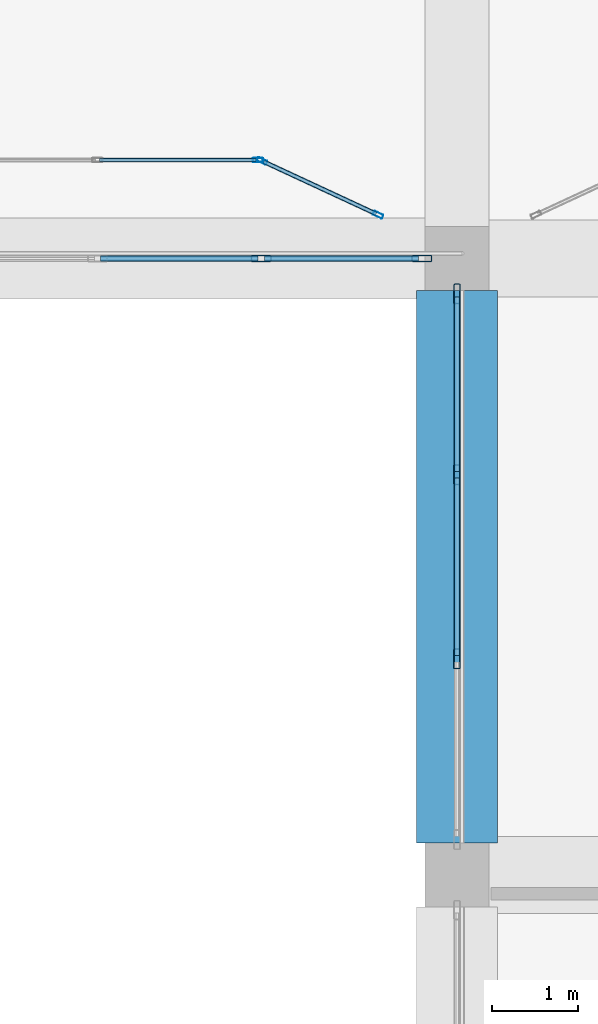
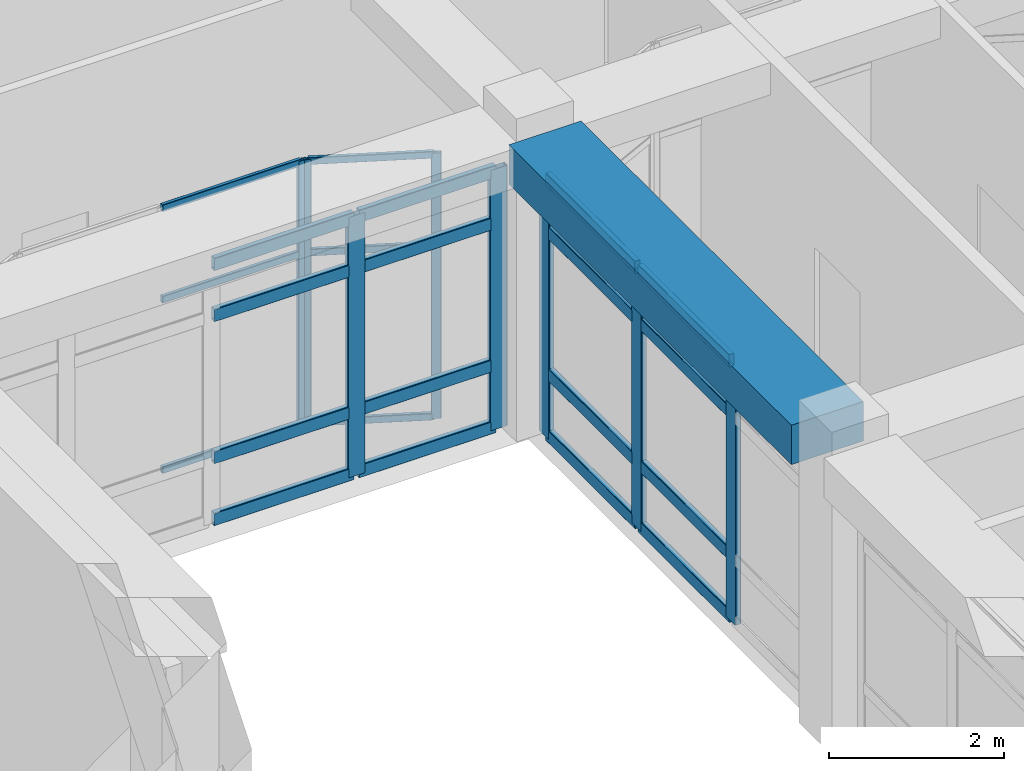
# One storey, part 20 of 121: 30 members, 1 beam, 4 elements without a shape of their own.
"""IFC4 building model written with IfcOpenShell, lengths in metres."""

from ifc_helpers import new_model, si_unit, derived_unit, direction, frame, origin, origin_2d, place, context, subcontext, project, spatial, rectangle, hollow_rectangle, extrude, material, material_profile, profile_set, type_object, element, aggregate, save


model = new_model("IFC4")

# Units and contexts
model_context = context("Model", 3, precision=1e-05, world=origin(), true_north=direction((0.0, 1.0)))
body_context = subcontext(model_context, "Body", "Model", "MODEL_VIEW")
ifc_project = project(units=[si_unit("LENGTHUNIT", "METRE"), si_unit("AREAUNIT", "SQUARE_METRE"), si_unit("VOLUMEUNIT", "CUBIC_METRE"), si_unit("PLANEANGLEUNIT", "RADIAN"), si_unit("MASSUNIT", "GRAM", prefix="KILO"), derived_unit("THERMALTRANSMITTANCEUNIT", [(si_unit("POWERUNIT", "WATT"), 1), (si_unit("LENGTHUNIT", "METRE"), -2), (si_unit("THERMODYNAMICTEMPERATUREUNIT", "KELVIN"), -1)])], contexts=[model_context])

# Site, building, storey
site_placement = place(None, origin())
site = spatial("IfcSite", under=ifc_project, at=site_placement, CompositionType="ELEMENT")
building_placement = place(site_placement, origin())
building = spatial("IfcBuilding", under=site, at=building_placement, Name="Veybourne Emporium", CompositionType="ELEMENT")
storey_placement = place(building_placement, frame((0.0, 0.0, 5.39990234375)))
storey = spatial("IfcBuildingStorey", under=building, at=storey_placement, Name="L01", CompositionType="ELEMENT", Elevation=5.39990234375)

# Curtain wall, members
ifc_material_1 = material(Name="Patinated Architectural Bronze", Category="bronze")
curtain_wall_type_1 = type_object("IfcCurtainWallType", Name="CWSystem_CWS-10", PredefinedType="NOTDEFINED", material=ifc_material_1)
curtain_wall_1_placement = place(storey_placement, origin())
curtain_wall_1 = element("IfcCurtainWall", 1, at=curtain_wall_1_placement, inside=storey, type_object=curtain_wall_type_1, Name="L01 bronze glazed curtain wall CWS-10 (035)", PredefinedType="NOTDEFINED")
ifc_material_profile_1 = material_profile(ifc_material_1, hollow_rectangle(XDim=0.074951171875, YDim=0.22998046875, WallThickness=0.0048828125, InnerFilletRadius=0.007568359375, OuterFilletRadius=0.012451171875, at=origin_2d()), Name="CWM 75x230x5")
ifc_profile_set_1 = profile_set([ifc_material_profile_1], Name="Patinated Architectural Bronze")
member_type_1 = type_object("IfcMemberType", Name="CWMullion_CW-M2", PredefinedType="MULLION", material=ifc_profile_set_1)
member_1_placement = place(storey_placement, frame((66.78759765625, 21.60009765625, 0.0), z_axis=(0.0, 0.0, 1.0), x_axis=(0.0, -1.0, 0.0)))
member_1 = element("IfcMember", 2, at=member_1_placement, type_object=member_type_1, Name="CWS-10 mullion 1", PredefinedType="MULLION", context=body_context, shape_type="SweptSolid", body=[
    extrude(hollow_rectangle(XDim=0.074951171875, YDim=0.22998046875, WallThickness=0.0048828125, InnerFilletRadius=0.007568359375, OuterFilletRadius=0.012451171875, at=origin_2d()), origin(), (0.0, 0.0, 1.0), 3.630126953125),
])
member_2_placement = place(storey_placement, frame((64.91259765625, 21.60009765625, 0.0), z_axis=(0.0, 0.0, 1.0), x_axis=(0.0, -1.0, 0.0)))
member_2 = element("IfcMember", 3, at=member_2_placement, type_object=member_type_1, Name="CWS-10 mullion 2", PredefinedType="MULLION", context=body_context, shape_type="SweptSolid", body=[
    extrude(hollow_rectangle(XDim=0.074951171875, YDim=0.22998046875, WallThickness=0.0048828125, InnerFilletRadius=0.007568359375, OuterFilletRadius=0.012451171875, at=origin_2d()), origin(), (0.0, 0.0, 1.0), 3.630126953125),
])

curtain_wall_type_2 = type_object("IfcCurtainWallType", Name="CWSystem_CWS-14", PredefinedType="NOTDEFINED", material=ifc_material_1)
curtain_wall_2_placement = place(storey_placement, origin())
curtain_wall_2 = element("IfcCurtainWall", 4, at=curtain_wall_2_placement, inside=storey, type_object=curtain_wall_type_2, Name="L01 bronze glazed curtain wall CWS-14 (039)", PredefinedType="NOTDEFINED")
member_3_placement = place(storey_placement, frame((67.199951171875, 16.925048828125, 0.0), z_axis=(0.0, 0.0, 1.0), x_axis=(-1.0, 0.0, 0.0)))
member_3 = element("IfcMember", 5, at=member_3_placement, type_object=member_type_1, Name="CWS-14 mullion 2", PredefinedType="MULLION", context=body_context, shape_type="SweptSolid", body=[
    extrude(hollow_rectangle(XDim=0.074951171875, YDim=0.22998046875, WallThickness=0.0048828125, InnerFilletRadius=0.007568359375, OuterFilletRadius=0.012451171875, at=origin_2d()), origin(), (0.0, 0.0, 1.0), 3.630126953125),
])
member_4_placement = place(storey_placement, frame((67.199951171875, 19.074951171875, 0.0), z_axis=(0.0, 0.0, 1.0), x_axis=(-1.0, 0.0, 0.0)))
member_4 = element("IfcMember", 6, at=member_4_placement, type_object=member_type_1, Name="CWS-14 mullion 3", PredefinedType="MULLION", context=body_context, shape_type="SweptSolid", body=[
    extrude(hollow_rectangle(XDim=0.074951171875, YDim=0.22998046875, WallThickness=0.0048828125, InnerFilletRadius=0.007568359375, OuterFilletRadius=0.012451171875, at=origin_2d()), origin(), (0.0, 0.0, 1.0), 3.630126953125),
])
member_5_placement = place(storey_placement, frame((67.199951171875, 21.1875, 0.0), z_axis=(0.0, 0.0, 1.0), x_axis=(-1.0, 0.0, 0.0)))
member_5 = element("IfcMember", 7, at=member_5_placement, type_object=member_type_1, Name="CWS-14 mullion 4", PredefinedType="MULLION", context=body_context, shape_type="SweptSolid", body=[
    extrude(hollow_rectangle(XDim=0.074951171875, YDim=0.22998046875, WallThickness=0.0048828125, InnerFilletRadius=0.007568359375, OuterFilletRadius=0.012451171875, at=origin_2d()), origin(), (0.0, 0.0, 1.0), 3.630126953125),
])

# Curtain wall, member
curtain_wall_type_3 = type_object("IfcCurtainWallType", Name="CWSystem_CWI-03", PredefinedType="NOTDEFINED", material=ifc_material_1)
curtain_wall_3_placement = place(storey_placement, origin())
curtain_wall_3 = element("IfcCurtainWall", 8, at=curtain_wall_3_placement, inside=storey, type_object=curtain_wall_type_3, Name="Arcade bow-front boutique shopfront L01 bay 7 facet 2", PredefinedType="NOTDEFINED")
ifc_material_profile_2 = material_profile(ifc_material_1, hollow_rectangle(XDim=0.050048828125, YDim=0.1201171875, WallThickness=0.00390625, InnerFilletRadius=0.006103515625, OuterFilletRadius=0.010009765625, at=origin_2d()), Name="CWM 50x120x4")
ifc_profile_set_2 = profile_set([ifc_material_profile_2], Name="Patinated Architectural Bronze")
member_type_2 = type_object("IfcMemberType", Name="CWMullion_CW-M5", PredefinedType="MULLION", material=ifc_profile_set_2)
member_6_placement = place(storey_placement, frame((64.875, 22.75, 0.0), z_axis=(0.0, 0.0, 1.0), x_axis=(0.0, 1.0, 0.0)))
member_6 = element("IfcMember", 9, at=member_6_placement, type_object=member_type_2, Name="CWI-03 mullion 3", PredefinedType="MULLION", context=body_context, shape_type="SweptSolid", body=[
    extrude(hollow_rectangle(XDim=0.050048828125, YDim=0.1201171875, WallThickness=0.00390625, InnerFilletRadius=0.006103515625, OuterFilletRadius=0.010009765625, at=origin_2d()), origin(), (0.0, 0.0, 1.0), 3.7001953125),
])

# Curtain wall, members
curtain_wall_type_4 = type_object("IfcCurtainWallType", Name="CWSystem_CWI-04", PredefinedType="NOTDEFINED", material=ifc_material_1)
curtain_wall_4_placement = place(storey_placement, origin())
curtain_wall_4 = element("IfcCurtainWall", 10, at=curtain_wall_4_placement, inside=storey, type_object=curtain_wall_type_4, Name="Arcade bow-front boutique shopfront L01 bay 7 facet 3", PredefinedType="NOTDEFINED")
member_7_placement = place(storey_placement, frame((64.922607421875, 22.739501953125, 0.0), z_axis=(0.0, 0.0, 1.0), x_axis=(0.421111306453, 0.907008967749, 0.0)))
member_7 = element("IfcMember", 11, at=member_7_placement, type_object=member_type_2, Name="CWI-04 mullion 1", PredefinedType="MULLION", context=body_context, shape_type="SweptSolid", body=[
    extrude(hollow_rectangle(XDim=0.050048828125, YDim=0.1201171875, WallThickness=0.00390625, InnerFilletRadius=0.006103515625, OuterFilletRadius=0.010009765625, at=origin_2d()), origin(), (0.0, 0.0, 1.0), 3.7001953125),
])
member_8_placement = place(storey_placement, frame((66.27734375, 22.110595703125, 0.0), z_axis=(0.0, 0.0, 1.0), x_axis=(0.421111306453, 0.907008967749, 0.0)))
member_8 = element("IfcMember", 12, at=member_8_placement, type_object=member_type_2, Name="CWI-04 mullion 2", PredefinedType="MULLION", context=body_context, shape_type="SweptSolid", body=[
    extrude(hollow_rectangle(XDim=0.050048828125, YDim=0.1201171875, WallThickness=0.00390625, InnerFilletRadius=0.006103515625, OuterFilletRadius=0.010009765625, at=origin_2d()), origin(), (0.0, 0.0, 1.0), 3.7001953125),
])

# Member
ifc_material_profile_3 = material_profile(ifc_material_1, hollow_rectangle(XDim=0.074951171875, YDim=0.179931640625, WallThickness=0.0048828125, InnerFilletRadius=0.007568359375, OuterFilletRadius=0.012451171875, at=origin_2d()), Name="CWT 75x180x5")
ifc_profile_set_3 = profile_set([ifc_material_profile_3], Name="Patinated Architectural Bronze")
member_type_3 = type_object("IfcMemberType", Name="CWTransom_CW-T2", PredefinedType="NOTDEFINED", material=ifc_profile_set_3)
member_9_placement = place(storey_placement, frame((66.75, 21.60009765625, 0.03759765625), z_axis=(-1.0, 0.0, 0.0), x_axis=(0.0, -1.0, 0.0)))
member_9 = element("IfcMember", 13, at=member_9_placement, type_object=member_type_3, Name="CWS-10 transom 1.1", ObjectType="TRANSOM", PredefinedType="USERDEFINED", context=body_context, shape_type="SweptSolid", body=[
    extrude(hollow_rectangle(XDim=0.074951171875, YDim=0.179931640625, WallThickness=0.0048828125, InnerFilletRadius=0.007568359375, OuterFilletRadius=0.012451171875, at=origin_2d()), origin(), (0.0, 0.0, 1.0), 1.800048828125),
])

member_10_placement = place(storey_placement, frame((66.75, 21.60009765625, 0.900146484375), z_axis=(-1.0, 0.0, 0.0), x_axis=(0.0, -1.0, 0.0)))
member_10 = element("IfcMember", 14, at=member_10_placement, type_object=member_type_3, Name="CWS-10 transom 1.2", ObjectType="TRANSOM", PredefinedType="USERDEFINED", context=body_context, shape_type="SweptSolid", body=[
    extrude(hollow_rectangle(XDim=0.074951171875, YDim=0.179931640625, WallThickness=0.0048828125, InnerFilletRadius=0.007568359375, OuterFilletRadius=0.012451171875, at=origin_2d()), origin(), (0.0, 0.0, 1.0), 1.800048828125),
])

member_11_placement = place(storey_placement, frame((66.75, 21.60009765625, 2.880126953125), z_axis=(-1.0, 0.0, 0.0), x_axis=(0.0, -1.0, 0.0)))
member_11 = element("IfcMember", 15, at=member_11_placement, type_object=member_type_3, Name="CWS-10 transom 1.3", ObjectType="TRANSOM", PredefinedType="USERDEFINED", context=body_context, shape_type="SweptSolid", body=[
    extrude(hollow_rectangle(XDim=0.074951171875, YDim=0.179931640625, WallThickness=0.0048828125, InnerFilletRadius=0.007568359375, OuterFilletRadius=0.012451171875, at=origin_2d()), origin(), (0.0, 0.0, 1.0), 1.800048828125),
])

member_12_placement = place(storey_placement, frame((66.75, 21.60009765625, 3.592529296875), z_axis=(-1.0, 0.0, 0.0), x_axis=(0.0, -1.0, 0.0)))
member_12 = element("IfcMember", 16, at=member_12_placement, type_object=member_type_3, Name="CWS-10 transom 1.4", ObjectType="TRANSOM", PredefinedType="USERDEFINED", context=body_context, shape_type="SweptSolid", body=[
    extrude(hollow_rectangle(XDim=0.074951171875, YDim=0.179931640625, WallThickness=0.0048828125, InnerFilletRadius=0.007568359375, OuterFilletRadius=0.012451171875, at=origin_2d()), origin(), (0.0, 0.0, 1.0), 1.800048828125),
])

member_13_placement = place(storey_placement, frame((64.875, 21.60009765625, 0.03759765625), z_axis=(-1.0, 0.0, 0.0), x_axis=(0.0, -1.0, 0.0)))
member_13 = element("IfcMember", 17, at=member_13_placement, type_object=member_type_3, Name="CWS-10 transom 2.1", ObjectType="TRANSOM", PredefinedType="USERDEFINED", context=body_context, shape_type="SweptSolid", body=[
    extrude(hollow_rectangle(XDim=0.074951171875, YDim=0.179931640625, WallThickness=0.0048828125, InnerFilletRadius=0.007568359375, OuterFilletRadius=0.012451171875, at=origin_2d()), origin(), (0.0, 0.0, 1.0), 1.83740234375),
])

member_14_placement = place(storey_placement, frame((64.875, 21.60009765625, 0.900146484375), z_axis=(-1.0, 0.0, 0.0), x_axis=(0.0, -1.0, 0.0)))
member_14 = element("IfcMember", 18, at=member_14_placement, type_object=member_type_3, Name="CWS-10 transom 2.2", ObjectType="TRANSOM", PredefinedType="USERDEFINED", context=body_context, shape_type="SweptSolid", body=[
    extrude(hollow_rectangle(XDim=0.074951171875, YDim=0.179931640625, WallThickness=0.0048828125, InnerFilletRadius=0.007568359375, OuterFilletRadius=0.012451171875, at=origin_2d()), origin(), (0.0, 0.0, 1.0), 1.83740234375),
])

member_15_placement = place(storey_placement, frame((64.875, 21.60009765625, 2.880126953125), z_axis=(-1.0, 0.0, 0.0), x_axis=(0.0, -1.0, 0.0)))
member_15 = element("IfcMember", 19, at=member_15_placement, type_object=member_type_3, Name="CWS-10 transom 2.3", ObjectType="TRANSOM", PredefinedType="USERDEFINED", context=body_context, shape_type="SweptSolid", body=[
    extrude(hollow_rectangle(XDim=0.074951171875, YDim=0.179931640625, WallThickness=0.0048828125, InnerFilletRadius=0.007568359375, OuterFilletRadius=0.012451171875, at=origin_2d()), origin(), (0.0, 0.0, 1.0), 1.83740234375),
])

member_16_placement = place(storey_placement, frame((64.875, 21.60009765625, 3.592529296875), z_axis=(-1.0, 0.0, 0.0), x_axis=(0.0, -1.0, 0.0)))
member_16 = element("IfcMember", 20, at=member_16_placement, type_object=member_type_3, Name="CWS-10 transom 2.4", ObjectType="TRANSOM", PredefinedType="USERDEFINED", context=body_context, shape_type="SweptSolid", body=[
    extrude(hollow_rectangle(XDim=0.074951171875, YDim=0.179931640625, WallThickness=0.0048828125, InnerFilletRadius=0.007568359375, OuterFilletRadius=0.012451171875, at=origin_2d()), origin(), (0.0, 0.0, 1.0), 1.83740234375),
])

aggregate(curtain_wall_1, [member_1, member_2, member_9, member_10, member_11, member_12, member_13, member_14, member_15, member_16])

member_17_placement = place(storey_placement, frame((67.199951171875, 16.96240234375, 0.03759765625), z_axis=(0.0, 1.0, 0.0), x_axis=(-1.0, 0.0, 0.0)))
member_17 = element("IfcMember", 21, at=member_17_placement, type_object=member_type_3, Name="CWS-14 transom 2.1", ObjectType="TRANSOM", PredefinedType="USERDEFINED", context=body_context, shape_type="SweptSolid", body=[
    extrude(hollow_rectangle(XDim=0.074951171875, YDim=0.179931640625, WallThickness=0.0048828125, InnerFilletRadius=0.007568359375, OuterFilletRadius=0.012451171875, at=origin_2d()), origin(), (0.0, 0.0, 1.0), 2.0751953125),
])

member_18_placement = place(storey_placement, frame((67.199951171875, 16.96240234375, 0.900146484375), z_axis=(0.0, 1.0, 0.0), x_axis=(-1.0, 0.0, 0.0)))
member_18 = element("IfcMember", 22, at=member_18_placement, type_object=member_type_3, Name="CWS-14 transom 2.2", ObjectType="TRANSOM", PredefinedType="USERDEFINED", context=body_context, shape_type="SweptSolid", body=[
    extrude(hollow_rectangle(XDim=0.074951171875, YDim=0.179931640625, WallThickness=0.0048828125, InnerFilletRadius=0.007568359375, OuterFilletRadius=0.012451171875, at=origin_2d()), origin(), (0.0, 0.0, 1.0), 2.0751953125),
])

member_19_placement = place(storey_placement, frame((67.199951171875, 16.96240234375, 2.880126953125), z_axis=(0.0, 1.0, 0.0), x_axis=(-1.0, 0.0, 0.0)))
member_19 = element("IfcMember", 23, at=member_19_placement, type_object=member_type_3, Name="CWS-14 transom 2.3", ObjectType="TRANSOM", PredefinedType="USERDEFINED", context=body_context, shape_type="SweptSolid", body=[
    extrude(hollow_rectangle(XDim=0.074951171875, YDim=0.179931640625, WallThickness=0.0048828125, InnerFilletRadius=0.007568359375, OuterFilletRadius=0.012451171875, at=origin_2d()), origin(), (0.0, 0.0, 1.0), 2.0751953125),
])

member_20_placement = place(storey_placement, frame((67.199951171875, 16.96240234375, 3.592529296875), z_axis=(0.0, 1.0, 0.0), x_axis=(-1.0, 0.0, 0.0)))
member_20 = element("IfcMember", 24, at=member_20_placement, type_object=member_type_3, Name="CWS-14 transom 2.4", ObjectType="TRANSOM", PredefinedType="USERDEFINED", context=body_context, shape_type="SweptSolid", body=[
    extrude(hollow_rectangle(XDim=0.074951171875, YDim=0.179931640625, WallThickness=0.0048828125, InnerFilletRadius=0.007568359375, OuterFilletRadius=0.012451171875, at=origin_2d()), origin(), (0.0, 0.0, 1.0), 2.0751953125),
])

member_21_placement = place(storey_placement, frame((67.199951171875, 19.112548828125, 0.03759765625), z_axis=(0.0, 1.0, 0.0), x_axis=(-1.0, 0.0, 0.0)))
member_21 = element("IfcMember", 25, at=member_21_placement, type_object=member_type_3, Name="CWS-14 transom 3.1", ObjectType="TRANSOM", PredefinedType="USERDEFINED", context=body_context, shape_type="SweptSolid", body=[
    extrude(hollow_rectangle(XDim=0.074951171875, YDim=0.179931640625, WallThickness=0.0048828125, InnerFilletRadius=0.007568359375, OuterFilletRadius=0.012451171875, at=origin_2d()), origin(), (0.0, 0.0, 1.0), 2.037353515625),
])

member_22_placement = place(storey_placement, frame((67.199951171875, 19.112548828125, 0.900146484375), z_axis=(0.0, 1.0, 0.0), x_axis=(-1.0, 0.0, 0.0)))
member_22 = element("IfcMember", 26, at=member_22_placement, type_object=member_type_3, Name="CWS-14 transom 3.2", ObjectType="TRANSOM", PredefinedType="USERDEFINED", context=body_context, shape_type="SweptSolid", body=[
    extrude(hollow_rectangle(XDim=0.074951171875, YDim=0.179931640625, WallThickness=0.0048828125, InnerFilletRadius=0.007568359375, OuterFilletRadius=0.012451171875, at=origin_2d()), origin(), (0.0, 0.0, 1.0), 2.037353515625),
])

member_23_placement = place(storey_placement, frame((67.199951171875, 19.112548828125, 2.880126953125), z_axis=(0.0, 1.0, 0.0), x_axis=(-1.0, 0.0, 0.0)))
member_23 = element("IfcMember", 27, at=member_23_placement, type_object=member_type_3, Name="CWS-14 transom 3.3", ObjectType="TRANSOM", PredefinedType="USERDEFINED", context=body_context, shape_type="SweptSolid", body=[
    extrude(hollow_rectangle(XDim=0.074951171875, YDim=0.179931640625, WallThickness=0.0048828125, InnerFilletRadius=0.007568359375, OuterFilletRadius=0.012451171875, at=origin_2d()), origin(), (0.0, 0.0, 1.0), 2.037353515625),
])

member_24_placement = place(storey_placement, frame((67.199951171875, 19.112548828125, 3.592529296875), z_axis=(0.0, 1.0, 0.0), x_axis=(-1.0, 0.0, 0.0)))
member_24 = element("IfcMember", 28, at=member_24_placement, type_object=member_type_3, Name="CWS-14 transom 3.4", ObjectType="TRANSOM", PredefinedType="USERDEFINED", context=body_context, shape_type="SweptSolid", body=[
    extrude(hollow_rectangle(XDim=0.074951171875, YDim=0.179931640625, WallThickness=0.0048828125, InnerFilletRadius=0.007568359375, OuterFilletRadius=0.012451171875, at=origin_2d()), origin(), (0.0, 0.0, 1.0), 2.037353515625),
])

aggregate(curtain_wall_2, [member_3, member_4, member_5, member_17, member_18, member_19, member_20, member_21, member_22, member_23, member_24])

ifc_material_profile_4 = material_profile(ifc_material_1, hollow_rectangle(XDim=0.050048828125, YDim=0.10009765625, WallThickness=0.00390625, InnerFilletRadius=0.006103515625, OuterFilletRadius=0.010009765625, at=origin_2d()), Name="CWT 50x100x4")
ifc_profile_set_4 = profile_set([ifc_material_profile_4], Name="Patinated Architectural Bronze")
member_type_4 = type_object("IfcMemberType", Name="CWTransom_CW-T5", PredefinedType="NOTDEFINED", material=ifc_profile_set_4)
member_25_placement = place(storey_placement, frame((63.02490234375, 22.75, 0.025146484375), z_axis=(1.0, 0.0, 0.0), x_axis=(0.0, 1.0, 0.0)))
member_25 = element("IfcMember", 29, at=member_25_placement, type_object=member_type_4, Name="CWI-03 transom 2.1", ObjectType="TRANSOM", PredefinedType="USERDEFINED", context=body_context, shape_type="SweptSolid", body=[
    extrude(hollow_rectangle(XDim=0.050048828125, YDim=0.10009765625, WallThickness=0.00390625, InnerFilletRadius=0.006103515625, OuterFilletRadius=0.010009765625, at=origin_2d()), origin(), (0.0, 0.0, 1.0), 1.8251953125),
])

member_26_placement = place(storey_placement, frame((63.02490234375, 22.75, 2.400146484375), z_axis=(1.0, 0.0, 0.0), x_axis=(0.0, 1.0, 0.0)))
member_26 = element("IfcMember", 30, at=member_26_placement, type_object=member_type_4, Name="CWI-03 transom 2.2", ObjectType="TRANSOM", PredefinedType="USERDEFINED", context=body_context, shape_type="SweptSolid", body=[
    extrude(hollow_rectangle(XDim=0.050048828125, YDim=0.10009765625, WallThickness=0.00390625, InnerFilletRadius=0.006103515625, OuterFilletRadius=0.010009765625, at=origin_2d()), origin(), (0.0, 0.0, 1.0), 1.8251953125),
])

member_27_placement = place(storey_placement, frame((63.02490234375, 22.75, 3.675048828125), z_axis=(1.0, 0.0, 0.0), x_axis=(0.0, 1.0, 0.0)))
member_27 = element("IfcMember", 31, at=member_27_placement, type_object=member_type_4, Name="CWI-03 transom 2.3", ObjectType="TRANSOM", PredefinedType="USERDEFINED", context=body_context, shape_type="SweptSolid", body=[
    extrude(hollow_rectangle(XDim=0.050048828125, YDim=0.10009765625, WallThickness=0.00390625, InnerFilletRadius=0.006103515625, OuterFilletRadius=0.010009765625, at=origin_2d()), origin(), (0.0, 0.0, 1.0), 1.8251953125),
])

aggregate(curtain_wall_3, [member_6, member_25, member_26, member_27])

member_28_placement = place(storey_placement, frame((64.9453125, 22.72900390625, 0.025146484375), z_axis=(0.907006660705, -0.421116275435, 0.0), x_axis=(0.421116275435, 0.907006660705, 0.0)))
member_28 = element("IfcMember", 32, at=member_28_placement, type_object=member_type_4, Name="CWI-04 transom 1.1", ObjectType="TRANSOM", PredefinedType="USERDEFINED", context=body_context, shape_type="SweptSolid", body=[
    extrude(hollow_rectangle(XDim=0.050048828125, YDim=0.10009765625, WallThickness=0.00390625, InnerFilletRadius=0.006103515625, OuterFilletRadius=0.010009765625, at=origin_2d()), origin(), (0.0, 0.0, 1.0), 1.443603515625),
])

member_29_placement = place(storey_placement, frame((64.9453125, 22.72900390625, 2.400146484375), z_axis=(0.907006660705, -0.421116275435, 0.0), x_axis=(0.421116275435, 0.907006660705, 0.0)))
member_29 = element("IfcMember", 33, at=member_29_placement, type_object=member_type_4, Name="CWI-04 transom 1.2", ObjectType="TRANSOM", PredefinedType="USERDEFINED", context=body_context, shape_type="SweptSolid", body=[
    extrude(hollow_rectangle(XDim=0.050048828125, YDim=0.10009765625, WallThickness=0.00390625, InnerFilletRadius=0.006103515625, OuterFilletRadius=0.010009765625, at=origin_2d()), origin(), (0.0, 0.0, 1.0), 1.443603515625),
])

member_30_placement = place(storey_placement, frame((64.9453125, 22.72900390625, 3.675048828125), z_axis=(0.907006660705, -0.421116275435, 0.0), x_axis=(0.421116275435, 0.907006660705, 0.0)))
member_30 = element("IfcMember", 34, at=member_30_placement, type_object=member_type_4, Name="CWI-04 transom 1.3", ObjectType="TRANSOM", PredefinedType="USERDEFINED", context=body_context, shape_type="SweptSolid", body=[
    extrude(hollow_rectangle(XDim=0.050048828125, YDim=0.10009765625, WallThickness=0.00390625, InnerFilletRadius=0.006103515625, OuterFilletRadius=0.010009765625, at=origin_2d()), origin(), (0.0, 0.0, 1.0), 1.443603515625),
])

aggregate(curtain_wall_4, [member_7, member_8, member_28, member_29, member_30])

# Beam
ifc_material_2 = material(Name="Concrete C32/40", Category="concrete")
ifc_material_profile_5 = material_profile(ifc_material_2, rectangle(XDim=0.949951171875, YDim=0.550048828125, at=origin_2d()), Name="RC 950x550")
ifc_profile_set_5 = profile_set([ifc_material_profile_5], Name="Concrete C32/40")
beam_type = type_object("IfcBeamType", Name="RCBeam_EB-01", PredefinedType="SPANDREL", material=ifc_profile_set_5)
beam_placement = place(storey_placement, frame((67.199951171875, 14.77490234375, 3.905029296875), z_axis=(0.0, 1.0, 0.0), x_axis=(-1.0, 0.0, 0.0)))
element("IfcBeam", 35, at=beam_placement, inside=storey, type_object=beam_type, Name="L01 Y-grid beam EB-01 (8,2)", PredefinedType="SPANDREL", context=body_context, shape_type="SweptSolid", body=[
    extrude(rectangle(XDim=0.949951171875, YDim=0.550048828125, at=origin_2d()), origin(), (0.0, 0.0, 1.0), 6.4501953125),
])

save(model, "model.ifc")
